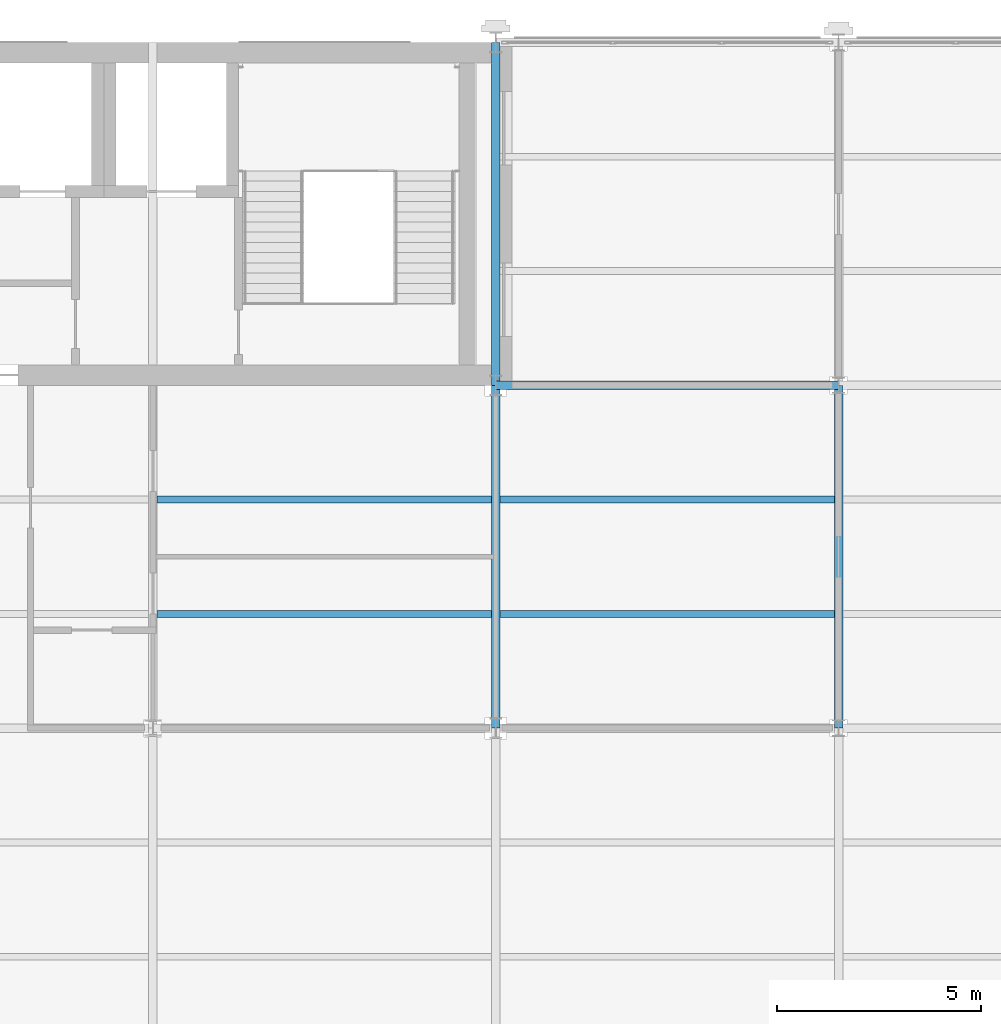
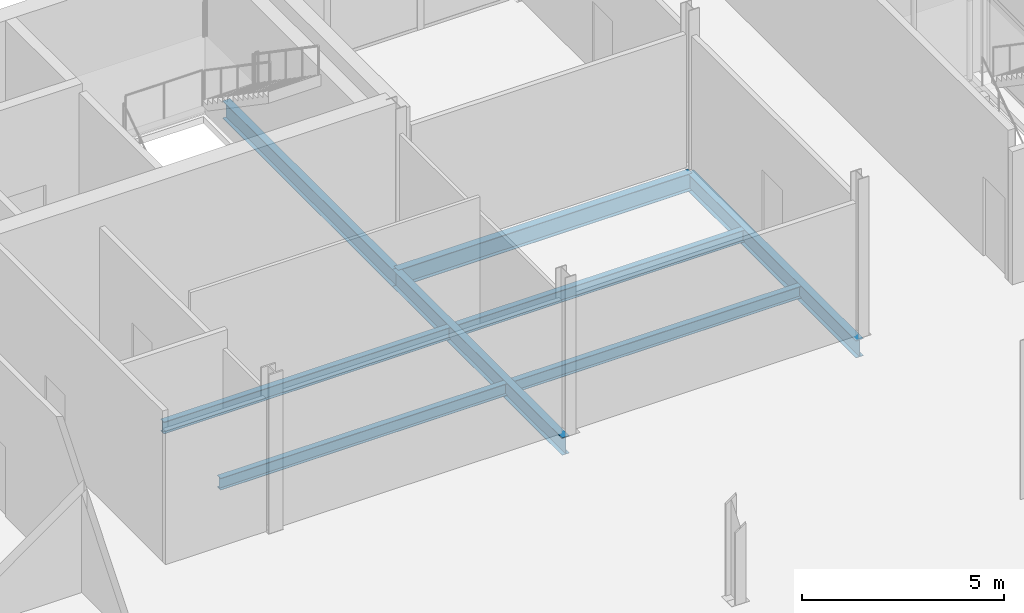
# One storey, part 129 of 167: 8 beams.
"""IFC4 building model written with IfcOpenShell, lengths in metres."""

from ifc_helpers import new_model, si_unit, direction, frame, origin, origin_2d, place, context, subcontext, project, spatial, i_section, extrude, material, material_profile, profile_set, type_object, element, save


model = new_model("IFC4")

# Units and contexts
model_context = context("Model", 3, precision=1e-05, world=origin(), true_north=direction((0.0, 1.0)))
body_context = subcontext(model_context, "Body", "Model", "MODEL_VIEW")
ifc_project = project(units=[si_unit("LENGTHUNIT", "METRE"), si_unit("AREAUNIT", "SQUARE_METRE"), si_unit("VOLUMEUNIT", "CUBIC_METRE"), si_unit("PLANEANGLEUNIT", "RADIAN"), si_unit("MASSUNIT", "GRAM", prefix="KILO")], contexts=[model_context])

# Site, building, storey
site_placement = place(None, origin())
site = spatial("IfcSite", under=ifc_project, at=site_placement, CompositionType="ELEMENT")
building_placement = place(site_placement, origin())
building = spatial("IfcBuilding", under=site, at=building_placement, Name="Catenary Quay Ferry Terminal", CompositionType="ELEMENT")
storey_placement = place(building_placement, frame((0.0, 0.0, 6.0)))
storey = spatial("IfcBuildingStorey", under=building, at=storey_placement, Name="L01", CompositionType="ELEMENT", Elevation=6.0)

# Beams
ifc_material_1 = material(Name="Steel S355", Category="steel")
ifc_material_profile_1 = material_profile(ifc_material_1, i_section(OverallWidth=0.208740234375, OverallDepth=0.5283203125, WebThickness=0.009521484375, FlangeThickness=0.01318359375, at=origin_2d()), Name="UB 533x210x82")
ifc_profile_set_1 = profile_set([ifc_material_profile_1], Name="Steel S355")
beam_type_1 = type_object("IfcBeamType", Name="B5 UB 533x210x82", PredefinedType="BEAM", material=ifc_profile_set_1)
for number, where, z_axis, x_axis, name in (
    (1, (50.39990234375, 201.60009765625, -0.464111328125), (1.0, 0.0, 0.0), (0.0, 1.0, 0.0), "Beam B5-018"),
    (2, (50.39990234375, 193.199951171875, -0.464111328125), (0.0, 1.0, 0.0), (-1.0, 0.0, 0.0), "Beam B5-042"),
):
    element("IfcBeam", number, at=place(storey_placement, frame(where, z_axis=z_axis, x_axis=x_axis)), inside=storey, type_object=beam_type_1, Name=name, PredefinedType="BEAM", context=body_context, shape_type="SweptSolid", body=[
        extrude(i_section(OverallWidth=0.208740234375, OverallDepth=0.5283203125, WebThickness=0.009521484375, FlangeThickness=0.01318359375, at=origin_2d()), origin(), (0.0, 0.0, 1.0), 8.400146484375),
    ])
beam_1_placement = place(storey_placement, frame((50.39990234375, 201.60009765625, -0.464111328125), z_axis=(0.0, 1.0, 0.0), x_axis=(-1.0, 0.0, 0.0)))
element("IfcBeam", 3, at=beam_1_placement, inside=storey, type_object=beam_type_1, Name="Beam B5-043", PredefinedType="BEAM", context=body_context, shape_type="SweptSolid", body=[
    extrude(i_section(OverallWidth=0.208740234375, OverallDepth=0.5283203125, WebThickness=0.009521484375, FlangeThickness=0.01318359375, at=origin_2d()), origin(), (0.0, 0.0, 1.0), 8.39990234375),
])
beam_2_placement = place(storey_placement, frame((58.800048828125, 193.199951171875, -0.464111328125), z_axis=(0.0, 1.0, 0.0), x_axis=(-1.0, 0.0, 0.0)))
element("IfcBeam", 4, at=beam_2_placement, inside=storey, type_object=beam_type_1, Name="Beam B5-048", PredefinedType="BEAM", context=body_context, shape_type="SweptSolid", body=[
    extrude(i_section(OverallWidth=0.208740234375, OverallDepth=0.5283203125, WebThickness=0.009521484375, FlangeThickness=0.01318359375, at=origin_2d()), origin(), (0.0, 0.0, 1.0), 8.400146484375),
])
ifc_material_2 = material(Name="Steel S355", Category="steel")
ifc_material_profile_2 = material_profile(ifc_material_2, i_section(OverallWidth=0.169921875, OverallDepth=0.360107421875, WebThickness=0.008056640625, FlangeThickness=0.0126953125, at=origin_2d()), Name="IPE 360")
ifc_profile_set_2 = profile_set([ifc_material_profile_2], Name="Steel S355")
beam_type_2 = type_object("IfcBeamType", Name="B7 IPE 360", PredefinedType="BEAM", material=ifc_profile_set_2)
beam_3_placement = place(storey_placement, frame((42.10400390625, 196.0, -0.3798828125), z_axis=(1.0, 0.0, 0.0), x_axis=(0.0, 1.0, 0.0)))
element("IfcBeam", 5, at=beam_3_placement, inside=storey, type_object=beam_type_2, Name="Beam B7-061", PredefinedType="BEAM", context=body_context, shape_type="SweptSolid", body=[
    extrude(i_section(OverallWidth=0.169921875, OverallDepth=0.360107421875, WebThickness=0.008056640625, FlangeThickness=0.0126953125, at=origin_2d()), origin(), (0.0, 0.0, 1.0), 8.19189453125),
])
beam_4_placement = place(storey_placement, frame((50.50390625, 196.0, -0.3798828125), z_axis=(1.0, 0.0, 0.0), x_axis=(0.0, 1.0, 0.0)))
element("IfcBeam", 6, at=beam_4_placement, inside=storey, type_object=beam_type_2, Name="Beam B7-062", PredefinedType="BEAM", context=body_context, shape_type="SweptSolid", body=[
    extrude(i_section(OverallWidth=0.169921875, OverallDepth=0.360107421875, WebThickness=0.008056640625, FlangeThickness=0.0126953125, at=origin_2d()), origin(), (0.0, 0.0, 1.0), 8.192138671875),
])
beam_5_placement = place(storey_placement, frame((42.10400390625, 198.800048828125, -0.3798828125), z_axis=(1.0, 0.0, 0.0), x_axis=(0.0, 1.0, 0.0)))
element("IfcBeam", 7, at=beam_5_placement, inside=storey, type_object=beam_type_2, Name="Beam B7-066", PredefinedType="BEAM", context=body_context, shape_type="SweptSolid", body=[
    extrude(i_section(OverallWidth=0.169921875, OverallDepth=0.360107421875, WebThickness=0.008056640625, FlangeThickness=0.0126953125, at=origin_2d()), origin(), (0.0, 0.0, 1.0), 8.19189453125),
])
beam_6_placement = place(storey_placement, frame((50.50390625, 198.800048828125, -0.3798828125), z_axis=(1.0, 0.0, 0.0), x_axis=(0.0, 1.0, 0.0)))
element("IfcBeam", 8, at=beam_6_placement, inside=storey, type_object=beam_type_2, Name="Beam B7-067", PredefinedType="BEAM", context=body_context, shape_type="SweptSolid", body=[
    extrude(i_section(OverallWidth=0.169921875, OverallDepth=0.360107421875, WebThickness=0.008056640625, FlangeThickness=0.0126953125, at=origin_2d()), origin(), (0.0, 0.0, 1.0), 8.192138671875),
])

save(model, "model.ifc")
